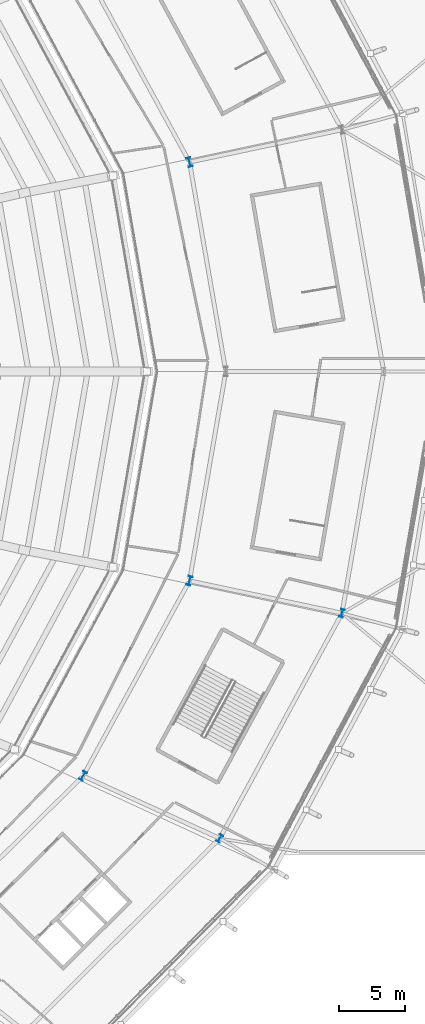
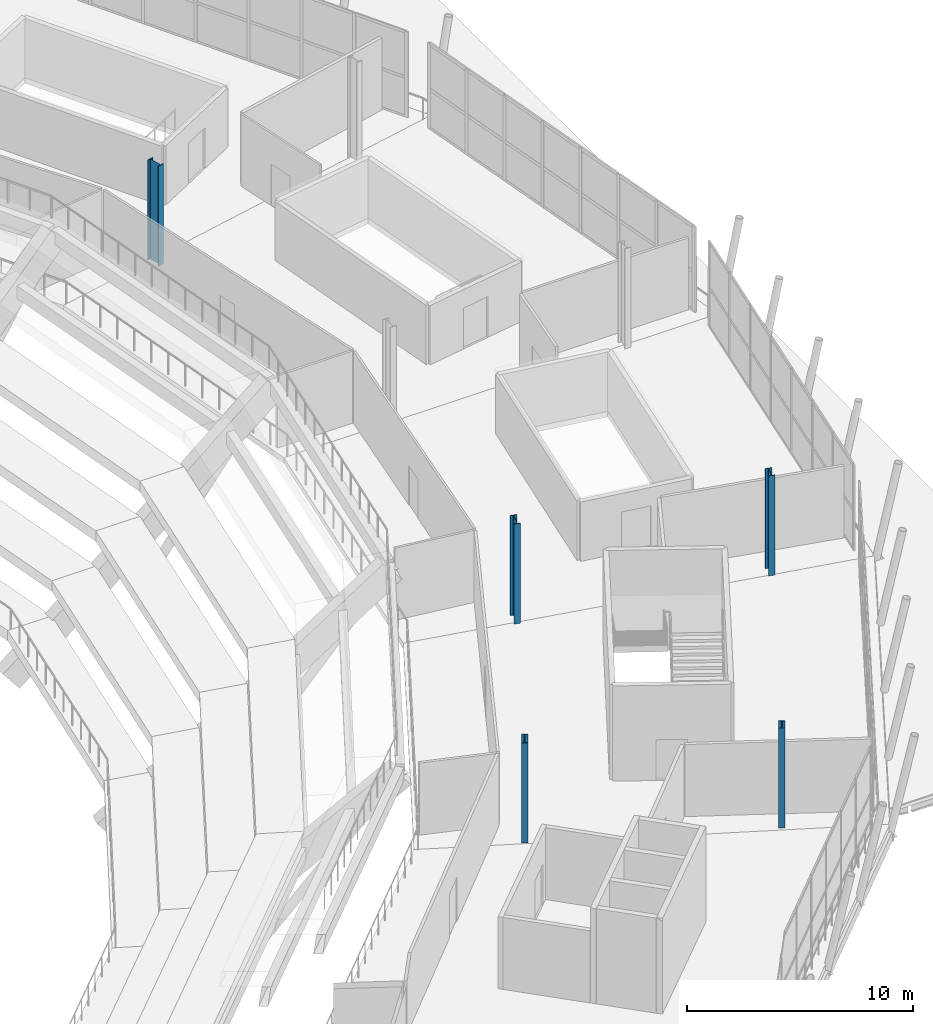
# One storey, part 8 of 126: 5 columns.
"""IFC4 building model written with IfcOpenShell, lengths in metres."""

from ifc_helpers import new_model, si_unit, direction, frame, origin, origin_2d, place, context, subcontext, project, spatial, i_section, extrude, material, material_profile, profile_set, type_object, element, save


model = new_model("IFC4")

# Units and contexts
model_context = context("Model", 3, precision=1e-05, world=origin(), true_north=direction((0.0, 1.0)))
body_context = subcontext(model_context, "Body", "Model", "MODEL_VIEW")
ifc_project = project(units=[si_unit("LENGTHUNIT", "METRE"), si_unit("AREAUNIT", "SQUARE_METRE"), si_unit("VOLUMEUNIT", "CUBIC_METRE"), si_unit("PLANEANGLEUNIT", "RADIAN"), si_unit("MASSUNIT", "GRAM", prefix="KILO")], contexts=[model_context])

# Site, building, storey
site_placement = place(None, origin())
site = spatial("IfcSite", under=ifc_project, at=site_placement, CompositionType="ELEMENT")
building_placement = place(site_placement, origin())
building = spatial("IfcBuilding", under=site, at=building_placement, Name="Zlatoyarsky Gate Stadium", CompositionType="ELEMENT")
storey_placement = place(building_placement, frame((0.0, 0.0, 20.800048828125)))
storey = spatial("IfcBuildingStorey", under=building, at=storey_placement, Name="L04", CompositionType="ELEMENT", Elevation=20.800048828125)

# Columns
ifc_material = material(Name="Steel S355", Category="steel")
ifc_material_profile_1 = material_profile(ifc_material, i_section(OverallWidth=0.300048828125, OverallDepth=0.60009765625, WebThickness=0.015380859375, FlangeThickness=0.030029296875, FilletRadius=0.027099609375, at=origin_2d()), Name="HEB 600")
ifc_profile_set_1 = profile_set([ifc_material_profile_1], Name="Steel S355")
column_type_1 = type_object("IfcColumnType", Name="STEEL COLUMN HEB 600", PredefinedType="COLUMN", material=ifc_profile_set_1)
for number, where, z_axis, x_axis, name in (
    (1, (191.540283203125, 44.5, 0.0), (0.0, 0.0, 1.0), (0.866025403784, -0.5, 0.0), "Column ST-C600 RC-22 on L04"),
    (2, (200.8310546875, 61.623779296875, 0.0), (0.0, 0.0, 1.0), (0.965925826289, -0.258819045103, 0.0), "Column ST-C600 RC-23 on L04"),
):
    element("IfcColumn", number, at=place(storey_placement, frame(where, z_axis=z_axis, x_axis=x_axis)), inside=storey, type_object=column_type_1, Name=name, PredefinedType="COLUMN", context=body_context, shape_type="SweptSolid", body=[
        extrude(i_section(OverallWidth=0.300048828125, OverallDepth=0.60009765625, WebThickness=0.015380859375, FlangeThickness=0.030029296875, FilletRadius=0.027099609375, at=origin_2d()), origin(), (0.0, 0.0, 1.0), 5.39990234375),
    ])
ifc_material_profile_2 = material_profile(ifc_material, i_section(OverallWidth=0.300048828125, OverallDepth=0.699951171875, WebThickness=0.01708984375, FlangeThickness=0.031982421875, FilletRadius=0.027099609375, at=origin_2d()), Name="HEB 700")
ifc_profile_set_2 = profile_set([ifc_material_profile_2], Name="Steel S355")
column_type_2 = type_object("IfcColumnType", Name="STEEL COLUMN HEB 700", PredefinedType="COLUMN", material=ifc_profile_set_2)
for number, where, z_axis, x_axis, name in (
    (3, (189.239990234375, 95.91748046875, 0.0), (0.0, 0.0, 1.0), (0.965925826289, 0.258819045103, 0.0), "Column ST-C700 RB-01 on L04"),
    (4, (181.148193359375, 49.25, 0.0), (0.0, 0.0, 1.0), (0.866025403784, -0.5, 0.0), "Column ST-C700 RB-22 on L04"),
    (5, (189.239990234375, 64.08251953125, 0.0), (0.0, 0.0, 1.0), (0.965925826289, -0.258819045103, 0.0), "Column ST-C700 RB-23 on L04"),
):
    element("IfcColumn", number, at=place(storey_placement, frame(where, z_axis=z_axis, x_axis=x_axis)), inside=storey, type_object=column_type_2, Name=name, PredefinedType="COLUMN", context=body_context, shape_type="SweptSolid", body=[
        extrude(i_section(OverallWidth=0.300048828125, OverallDepth=0.699951171875, WebThickness=0.01708984375, FlangeThickness=0.031982421875, FilletRadius=0.027099609375, at=origin_2d()), origin(), (0.0, 0.0, 1.0), 5.39990234375),
    ])

save(model, "model.ifc")
